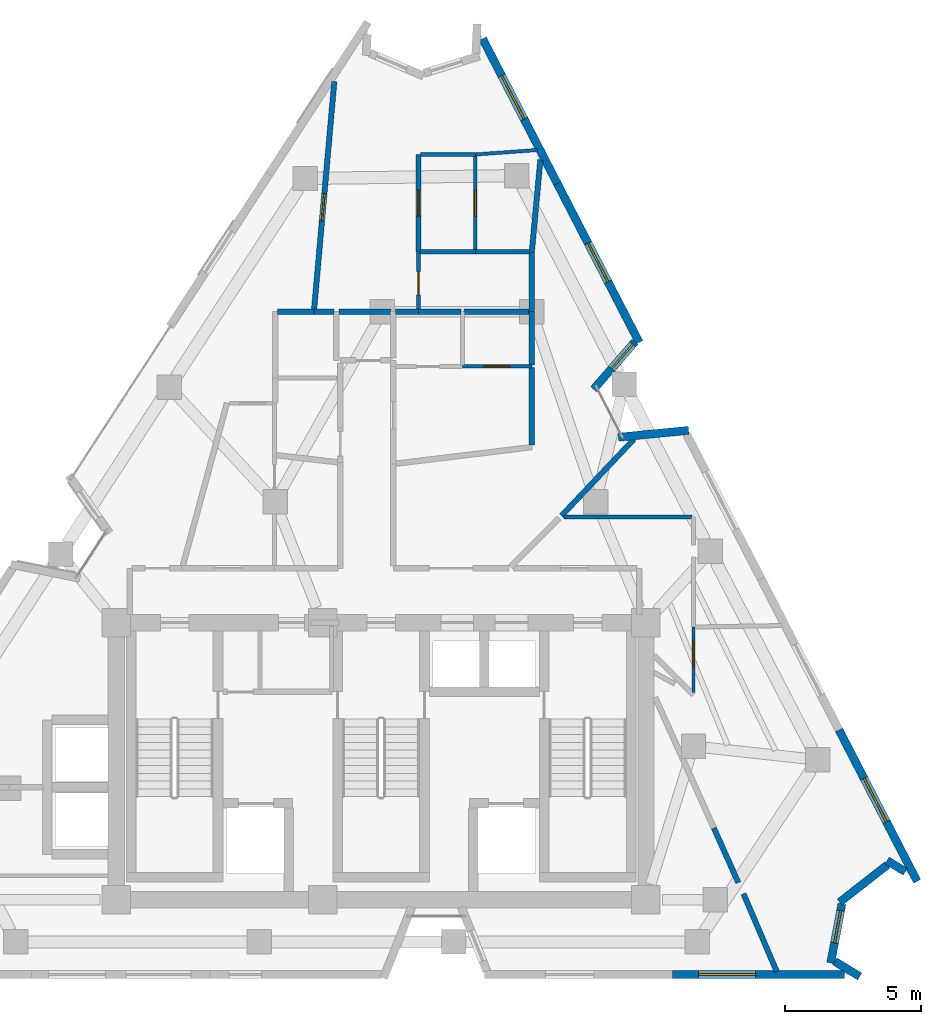
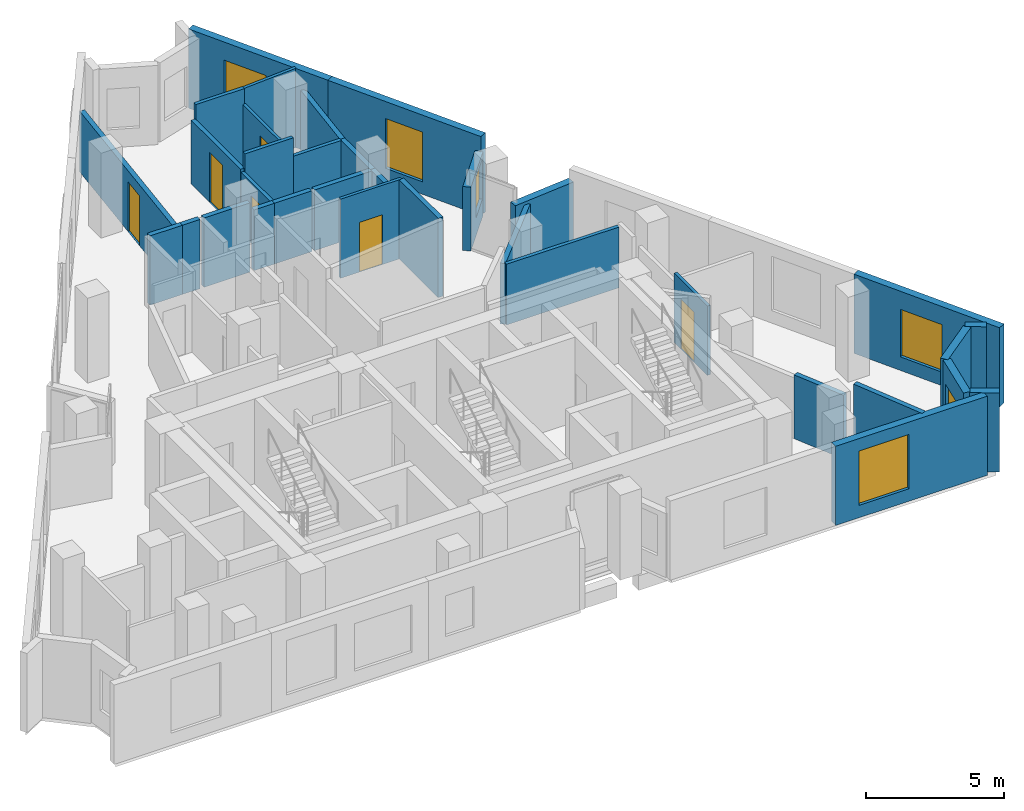
# One storey, part 7 of 9: 34 walls, 6 doors, 6 windows, 12 openings.
"""IFC4 building model written with IfcOpenShell, lengths in metres."""

from ifc_helpers import new_model, si_unit, direction, frame, frame_2d, origin, place, context, subcontext, project, spatial, rectangle, extrude, material, layer, layer_set, type_object, element, fill, save


model = new_model("IFC4")

# Units and contexts
model_context = context("Model", 3, precision=1e-05, world=origin(), true_north=direction((0.0, 1.0)))
body_context = subcontext(model_context, "Body", "Model", "MODEL_VIEW")
ifc_project = project(units=[si_unit("LENGTHUNIT", "METRE"), si_unit("AREAUNIT", "SQUARE_METRE"), si_unit("VOLUMEUNIT", "CUBIC_METRE"), si_unit("PLANEANGLEUNIT", "RADIAN"), si_unit("MASSUNIT", "GRAM", prefix="KILO")], contexts=[model_context])

# Site, building, storey
site_placement = place(None, origin())
site = spatial("IfcSite", under=ifc_project, at=site_placement, CompositionType="ELEMENT")
building_placement = place(site_placement, origin())
building = spatial("IfcBuilding", under=site, at=building_placement, Name="Almagre Mirador Tower", CompositionType="ELEMENT")
storey_placement = place(building_placement, frame((0.0, 0.0, 207.0)))
storey = spatial("IfcBuildingStorey", under=building, at=storey_placement, Name="L53", CompositionType="ELEMENT", Elevation=207.0)

# Wall, opening, window
ifc_material_1 = material(Name="Precast concrete C50/60", Category="concrete")
ifc_layer_1 = layer(ifc_material_1, 0.300048828125)
ifc_layer_set_1 = layer_set([ifc_layer_1], Name="Precast concrete C50/60")
wall_type_1 = type_object("IfcWallType", Name="WAL-EXT-300", PredefinedType="SOLIDWALL", material=ifc_layer_set_1)
wall_1_placement = place(storey_placement, frame((41.039306640625, 36.2451171875, 0.0), z_axis=(0.0, 0.0, 1.0), x_axis=(0.458292150172, -0.888801611773, 0.0)))
wall_1 = element("IfcWall", 1, at=wall_1_placement, inside=storey, type_object=wall_type_1, Name="L53 expressed almagre precast frame wall 09", PredefinedType="SOLIDWALL", context=body_context, shape_type="SweptSolid", body=[
    extrude(rectangle(XDim=5.9931640625, YDim=0.300048828125, at=frame_2d((2.99658203125, 0.0))), origin(), (0.0, 0.0, 1.0), 3.5),
])
opening_1_placement = place(wall_1_placement, frame((1.534912109375, 0.0, 0.60009765625)))
opening_1 = element("IfcOpeningElement", 2, at=opening_1_placement, cuts=wall_1, Name="Opening WN-01", PredefinedType="OPENING", context=body_context, shape_type="SweptSolid", body=[
    extrude(rectangle(XDim=1.800048828125, YDim=2.10009765625, at=frame_2d((0.89990234375, 1.050048828125))), frame((0.0, 0.159902, 0.0), z_axis=(0.0, -1.0, 0.0), x_axis=(1.0, 0.0, 0.0)), (0.0, 0.0, 1.0), 0.320049),
])
ifc_material_2 = material(Name="Dark solar-control laminated hurricane glass", Category="glass")
window_type_1 = type_object("IfcWindowType", Name="WIN-1800X2100", PartitioningType="DOUBLE_PANEL_VERTICAL", PredefinedType="WINDOW", material=ifc_material_2)
window_1_placement = place(opening_1_placement, origin())
window_1 = element("IfcWindow", 3, at=window_1_placement, inside=storey, type_object=window_type_1, Name="L53 recessed hurricane window L53-UL-ST", OverallHeight=2.10009765625, OverallWidth=1.800048828125, PartitioningType="SINGLE_PANEL", PredefinedType="WINDOW", context=body_context, shape_type="SweptSolid", body=[
    extrude(rectangle(XDim=1.800048828125, YDim=2.10009765625, at=frame_2d((0.89990234375, 1.050048828125))), frame((0.0, 0.030029296875, 0.0), z_axis=(0.0, -1.0, 0.0), x_axis=(1.0, 0.0, 0.0)), (0.0, 0.0, 1.0), 0.06005859375),
])
fill(opening_1, window_1)

wall_2_placement = place(storey_placement, frame((43.785888671875, 30.91845703125, 0.0), z_axis=(0.0, 0.0, 1.0), x_axis=(0.458349099599, -0.888772244671, 0.0)))
wall_2 = element("IfcWall", 4, at=wall_2_placement, inside=storey, type_object=wall_type_1, Name="L53 expressed almagre precast frame wall 10", PredefinedType="SOLIDWALL", context=body_context, shape_type="SweptSolid", body=[
    extrude(rectangle(XDim=6.5830078125, YDim=0.300048828125, at=frame_2d((3.29150390625, 0.0))), origin(), (0.0, 0.0, 1.0), 3.5),
])
opening_2_placement = place(wall_2_placement, frame((2.47509765625, 0.0, 0.550048828125)))
opening_2 = element("IfcOpeningElement", 5, at=opening_2_placement, cuts=wall_2, Name="Opening WN-06", PredefinedType="OPENING", context=body_context, shape_type="SweptSolid", body=[
    extrude(rectangle(XDim=1.60009765625, YDim=2.199951171875, at=frame_2d((0.800048828125, 1.10009765625))), frame((0.0, 0.159902, 0.0), z_axis=(0.0, -1.0, 0.0), x_axis=(1.0, 0.0, 0.0)), (0.0, 0.0, 1.0), 0.320049),
])
ifc_material_3 = material(Name="Dark solar-control laminated hurricane glass", Category="glass")
window_type_2 = type_object("IfcWindowType", Name="WIN-1600X2200", PartitioningType="DOUBLE_PANEL_VERTICAL", PredefinedType="WINDOW", material=ifc_material_3)
window_2_placement = place(opening_2_placement, origin())
window_2 = element("IfcWindow", 6, at=window_2_placement, inside=storey, type_object=window_type_2, Name="L53 recessed hurricane window L53-RST-K", OverallHeight=2.199951171875, OverallWidth=1.60009765625, PartitioningType="SINGLE_PANEL", PredefinedType="WINDOW", context=body_context, shape_type="SweptSolid", body=[
    extrude(rectangle(XDim=1.60009765625, YDim=2.199951171875, at=frame_2d((0.800048828125, 1.10009765625))), frame((0.0, 0.030029296875, 0.0), z_axis=(0.0, -1.0, 0.0), x_axis=(1.0, 0.0, 0.0)), (0.0, 0.0, 1.0), 0.06005859375),
])
fill(opening_2, window_2)

wall_3_placement = place(storey_placement, frame((46.647216796875, 25.08642578125, 0.0), z_axis=(0.0, 0.0, 1.0), x_axis=(-0.656860073981, -0.754012495394, 0.0)))
wall_3 = element("IfcWall", 7, at=wall_3_placement, inside=storey, type_object=wall_type_1, Name="L53 expressed almagre precast frame wall 11", PredefinedType="SOLIDWALL", context=body_context, shape_type="SweptSolid", body=[
    extrude(rectangle(XDim=2.314453125, YDim=0.300048828125, at=frame_2d((1.1572265625, 0.0))), origin(), (0.0, 0.0, 1.0), 2.824951171875),
])
opening_3_placement = place(wall_3_placement, frame((0.1201171875, 0.0, 0.800048828125)))
opening_3 = element("IfcOpeningElement", 8, at=opening_3_placement, cuts=wall_3, Name="Opening WN-04", PredefinedType="OPENING", context=body_context, shape_type="SweptSolid", body=[
    extrude(rectangle(XDim=1.199951171875, YDim=1.800048828125, at=frame_2d((0.60009765625, 0.89990234375))), frame((0.0, 0.159902, 0.0), z_axis=(0.0, -1.0, 0.0), x_axis=(1.0, 0.0, 0.0)), (0.0, 0.0, 1.0), 0.320049),
])
ifc_material_4 = material(Name="Dark solar-control laminated hurricane glass", Category="glass")
window_type_3 = type_object("IfcWindowType", Name="WIN-1200X1800", PartitioningType="SINGLE_PANEL", PredefinedType="WINDOW", material=ifc_material_4)
window_3_placement = place(opening_3_placement, origin())
window_3 = element("IfcWindow", 9, at=window_3_placement, inside=storey, type_object=window_type_3, Name="L53 recessed hurricane window L53-RST-K", OverallHeight=1.800048828125, OverallWidth=1.199951171875, PartitioningType="SINGLE_PANEL", PredefinedType="WINDOW", context=body_context, shape_type="SweptSolid", body=[
    extrude(rectangle(XDim=1.199951171875, YDim=1.800048828125, at=frame_2d((0.60009765625, 0.89990234375))), frame((0.0, 0.030029296875, 0.0), z_axis=(0.0, -1.0, 0.0), x_axis=(1.0, 0.0, 0.0)), (0.0, 0.0, 1.0), 0.06005859375),
])
fill(opening_3, window_3)

# Wall
wall_4_placement = place(storey_placement, frame((46.03759765625, 21.575439453125, 0.0), z_axis=(0.0, 0.0, 1.0), x_axis=(0.995262869225, 0.097220476965, 0.0)))
element("IfcWall", 10, at=wall_4_placement, inside=storey, type_object=wall_type_1, Name="L53 expressed almagre precast frame wall 12", PredefinedType="SOLIDWALL", context=body_context, shape_type="SweptSolid", body=[
    extrude(rectangle(XDim=2.593994140625, YDim=0.300048828125, at=frame_2d((1.296875, 0.0))), origin(), (0.0, 0.0, 1.0), 2.824951171875),
])

# Wall, opening, window
wall_5_placement = place(storey_placement, frame((54.159423828125, 10.7998046875, 0.0), z_axis=(0.0, 0.0, 1.0), x_axis=(0.458322317218, -0.888786056113, 0.0)))
wall_5 = element("IfcWall", 11, at=wall_5_placement, inside=storey, type_object=wall_type_1, Name="L53 expressed almagre precast frame wall 15", PredefinedType="SOLIDWALL", context=body_context, shape_type="SweptSolid", body=[
    extrude(rectangle(XDim=6.265869140625, YDim=0.300048828125, at=frame_2d((3.1328125, 0.0))), origin(), (0.0, 0.0, 1.0), 3.5),
])
opening_4_placement = place(wall_5_placement, frame((2.0, 0.0, 0.60009765625)))
opening_4 = element("IfcOpeningElement", 12, at=opening_4_placement, cuts=wall_5, Name="Opening WN-01", PredefinedType="OPENING", context=body_context, shape_type="SweptSolid", body=[
    extrude(rectangle(XDim=1.800048828125, YDim=2.10009765625, at=frame_2d((0.89990234375, 1.050048828125))), frame((0.0, 0.159902, 0.0), z_axis=(0.0, -1.0, 0.0), x_axis=(1.0, 0.0, 0.0)), (0.0, 0.0, 1.0), 0.320049),
])
window_4_placement = place(opening_4_placement, origin())
window_4 = element("IfcWindow", 13, at=window_4_placement, inside=storey, type_object=window_type_1, Name="L53 recessed hurricane window L53-UE-KT", OverallHeight=2.10009765625, OverallWidth=1.800048828125, PartitioningType="SINGLE_PANEL", PredefinedType="WINDOW", context=body_context, shape_type="SweptSolid", body=[
    extrude(rectangle(XDim=1.800048828125, YDim=2.10009765625, at=frame_2d((0.89990234375, 1.050048828125))), frame((0.0, 0.030029296875, 0.0), z_axis=(0.0, -1.0, 0.0), x_axis=(1.0, 0.0, 0.0)), (0.0, 0.0, 1.0), 0.06005859375),
])
fill(opening_4, window_4)

# Walls
wall_6_placement = place(storey_placement, frame((56.595458984375, 5.581298828125, 0.0), z_axis=(0.0, 0.0, 1.0), x_axis=(-0.853681479387, 0.520795479772, 0.0)))
element("IfcWall", 14, at=wall_6_placement, inside=storey, type_object=wall_type_1, Name="L53 expressed almagre precast frame wall 16", PredefinedType="SOLIDWALL", context=body_context, shape_type="SweptSolid", body=[
    extrude(rectangle(XDim=0.78466796875, YDim=0.300048828125, at=frame_2d((0.392333984375, 0.0))), origin(), (0.0, 0.0, 1.0), 3.5),
])
wall_7_placement = place(storey_placement, frame((55.938720703125, 5.833984375, 0.0), z_axis=(0.0, 0.0, 1.0), x_axis=(-0.788331324268, -0.615250943256, 0.0)))
element("IfcWall", 15, at=wall_7_placement, inside=storey, type_object=wall_type_1, Name="L53 expressed almagre precast frame wall 17", PredefinedType="SOLIDWALL", context=body_context, shape_type="SweptSolid", body=[
    extrude(rectangle(XDim=2.22998046875, YDim=0.300048828125, at=frame_2d((1.114990234375, 0.0))), origin(), (0.0, 0.0, 1.0), 3.5),
])

# Wall, opening, window
wall_8_placement = place(storey_placement, frame((54.26318359375, 4.400634765625, 0.0), z_axis=(0.0, 0.0, 1.0), x_axis=(-0.185632792315, -0.982619186876, 0.0)))
wall_8 = element("IfcWall", 16, at=wall_8_placement, inside=storey, type_object=wall_type_1, Name="L53 expressed almagre precast frame wall 18", PredefinedType="SOLIDWALL", context=body_context, shape_type="SweptSolid", body=[
    extrude(rectangle(XDim=2.21484375, YDim=0.300048828125, at=frame_2d((1.107421875, 0.0))), origin(), (0.0, 0.0, 1.0), 3.5),
])
opening_5_placement = place(wall_8_placement, frame((0.260009765625, 0.0, 0.800048828125)))
opening_5 = element("IfcOpeningElement", 17, at=opening_5_placement, cuts=wall_8, Name="Opening WN-04", PredefinedType="OPENING", context=body_context, shape_type="SweptSolid", body=[
    extrude(rectangle(XDim=1.199951171875, YDim=1.800048828125, at=frame_2d((0.60009765625, 0.89990234375))), frame((0.0, 0.159902, 0.0), z_axis=(0.0, -1.0, 0.0), x_axis=(1.0, 0.0, 0.0)), (0.0, 0.0, 1.0), 0.320049),
])
window_5_placement = place(opening_5_placement, origin())
window_5 = element("IfcWindow", 18, at=window_5_placement, inside=storey, type_object=window_type_3, Name="L53 recessed hurricane window L53-RST-C", OverallHeight=1.800048828125, OverallWidth=1.199951171875, PartitioningType="SINGLE_PANEL", PredefinedType="WINDOW", context=body_context, shape_type="SweptSolid", body=[
    extrude(rectangle(XDim=1.199951171875, YDim=1.800048828125, at=frame_2d((0.60009765625, 0.89990234375))), frame((0.0, 0.030029296875, 0.0), z_axis=(0.0, -1.0, 0.0), x_axis=(1.0, 0.0, 0.0)), (0.0, 0.0, 1.0), 0.06005859375),
])
fill(opening_5, window_5)

# Wall
wall_9_placement = place(storey_placement, frame((53.99755859375, 2.2890625, 0.0), z_axis=(0.0, 0.0, 1.0), x_axis=(0.853840299064, -0.520535055203, 0.0)))
element("IfcWall", 19, at=wall_9_placement, inside=storey, type_object=wall_type_1, Name="L53 expressed almagre precast frame wall 19", PredefinedType="SOLIDWALL", context=body_context, shape_type="SweptSolid", body=[
    extrude(rectangle(XDim=1.07958984375, YDim=0.300048828125, at=frame_2d((0.539794921875, 0.0))), origin(), (0.0, 0.0, 1.0), 3.5),
])

# Wall, opening, window
wall_10_placement = place(storey_placement, frame((54.360107421875, 1.800048828125, 0.0), z_axis=(0.0, 0.0, 1.0), x_axis=(-1.0, 0.0, 0.0)))
wall_10 = element("IfcWall", 20, at=wall_10_placement, inside=storey, type_object=wall_type_1, Name="L53 expressed almagre precast frame wall 20", PredefinedType="SOLIDWALL", context=body_context, shape_type="SweptSolid", body=[
    extrude(rectangle(XDim=6.338134765625, YDim=0.300048828125, at=frame_2d((3.1689453125, 0.0))), origin(), (0.0, 0.0, 1.0), 3.5),
])
opening_6_placement = place(wall_10_placement, frame((3.27001953125, 0.0, 0.550048828125)))
opening_6 = element("IfcOpeningElement", 21, at=opening_6_placement, cuts=wall_10, Name="Opening WN-05", PredefinedType="OPENING", context=body_context, shape_type="SweptSolid", body=[
    extrude(rectangle(XDim=2.10009765625, YDim=2.39990234375, at=frame_2d((1.050048828125, 1.199951171875))), frame((0.0, 0.159902, 0.0), z_axis=(0.0, -1.0, 0.0), x_axis=(1.0, 0.0, 0.0)), (0.0, 0.0, 1.0), 0.320049),
])
ifc_material_5 = material(Name="Dark solar-control laminated hurricane glass", Category="glass")
window_type_4 = type_object("IfcWindowType", Name="WIN-2100X2400", PartitioningType="DOUBLE_PANEL_VERTICAL", PredefinedType="WINDOW", material=ifc_material_5)
window_6_placement = place(opening_6_placement, origin())
window_6 = element("IfcWindow", 22, at=window_6_placement, inside=storey, type_object=window_type_4, Name="L53 recessed hurricane window L53-UB-ST", OverallHeight=2.39990234375, OverallWidth=2.10009765625, PartitioningType="SINGLE_PANEL", PredefinedType="WINDOW", context=body_context, shape_type="SweptSolid", body=[
    extrude(rectangle(XDim=2.10009765625, YDim=2.39990234375, at=frame_2d((1.050048828125, 1.199951171875))), frame((0.0, 0.030029296875, 0.0), z_axis=(0.0, -1.0, 0.0), x_axis=(1.0, 0.0, 0.0)), (0.0, 0.0, 1.0), 0.06005859375),
])
fill(opening_6, window_6)

# Wall, opening, door
ifc_material_6 = material(Name="Gypsum acoustic stud partition", Category="other")
ifc_layer_2 = layer(ifc_material_6, 0.125)
ifc_layer_set_2 = layer_set([ifc_layer_2], Name="Gypsum acoustic stud partition")
wall_type_2 = type_object("IfcWallType", Name="WAL-PRT-125-UTL", PredefinedType="PARTITIONING", material=ifc_layer_set_2)
wall_11_placement = place(storey_placement, frame((48.800048828125, 12.175048828125, 0.0), z_axis=(0.0, 0.0, 1.0), x_axis=(0.0, 1.0, 0.0)))
wall_11 = element("IfcWall", 23, at=wall_11_placement, inside=storey, type_object=wall_type_2, Name="L53 interior partition 036", PredefinedType="PARTITIONING", context=body_context, shape_type="SweptSolid", body=[
    extrude(rectangle(XDim=2.4150390625, YDim=0.125, at=frame_2d((1.20751953125, 0.0))), origin(), (0.0, 0.0, 1.0), 3.06103515625),
])
opening_7_placement = place(wall_11_placement, frame((0.978515625, 0.0, 0.0)))
opening_7 = element("IfcOpeningElement", 24, at=opening_7_placement, cuts=wall_11, Name="Opening UD-01", PredefinedType="OPENING", context=body_context, shape_type="SweptSolid", body=[
    extrude(rectangle(XDim=0.949951171875, YDim=2.199951171875, at=frame_2d((0.47509765625, 1.10009765625))), frame((0.0, 0.0725, 0.0), z_axis=(0.0, -1.0, 0.0), x_axis=(1.0, 0.0, 0.0)), (0.0, 0.0, 1.0), 0.145),
])
ifc_material_7 = material(Name="Solid American walnut timber", Category="wood")
door_type_1 = type_object("IfcDoorType", Name="DOR-UNR-950X2200", OperationType="NOTDEFINED", PredefinedType="DOOR", material=ifc_material_7)
door_1_placement = place(opening_7_placement, origin())
door_1 = element("IfcDoor", 25, at=door_1_placement, inside=storey, type_object=door_type_1, Name="DR-1650 L53 interior door L53-UE-ST to L53-UE-KT", OperationType="SINGLE_SWING_RIGHT", OverallHeight=2.199951171875, OverallWidth=0.949951171875, PredefinedType="DOOR", context=body_context, shape_type="SweptSolid", body=[
    extrude(rectangle(XDim=0.949951171875, YDim=2.199951171875, at=frame_2d((0.47509765625, 1.10009765625))), frame((0.0, 0.02490234375, 0.0), z_axis=(0.0, -1.0, 0.0), x_axis=(1.0, 0.0, 0.0)), (0.0, 0.0, 1.0), 0.050048828125),
])
fill(opening_7, door_1)

wall_12_placement = place(storey_placement, frame((42.85009765625, 24.179931640625, 0.0), z_axis=(0.0, 0.0, 1.0), x_axis=(-1.0, 0.0, 0.0)))
wall_12 = element("IfcWall", 26, at=wall_12_placement, inside=storey, type_object=wall_type_2, Name="L53 interior partition 059", PredefinedType="PARTITIONING", context=body_context, shape_type="SweptSolid", body=[
    extrude(rectangle(XDim=2.550048828125, YDim=0.125, at=frame_2d((1.27490234375, 0.0))), origin(), (0.0, 0.0, 1.0), 3.5),
])
opening_8_placement = place(wall_12_placement, frame((0.800048828125, 0.0, 0.0)))
opening_8 = element("IfcOpeningElement", 27, at=opening_8_placement, cuts=wall_12, Name="Opening UD-01", PredefinedType="OPENING", context=body_context, shape_type="SweptSolid", body=[
    extrude(rectangle(XDim=0.949951171875, YDim=2.199951171875, at=frame_2d((0.47509765625, 1.10009765625))), frame((0.0, 0.0725, 0.0), z_axis=(0.0, -1.0, 0.0), x_axis=(1.0, 0.0, 0.0)), (0.0, 0.0, 1.0), 0.145),
])
door_2_placement = place(opening_8_placement, origin())
door_2 = element("IfcDoor", 28, at=door_2_placement, inside=storey, type_object=door_type_1, Name="DR-1656 L53 interior door L53-UJ-ST to L53-UJ-KT", OperationType="SINGLE_SWING_LEFT", OverallHeight=2.199951171875, OverallWidth=0.949951171875, PredefinedType="DOOR", context=body_context, shape_type="SweptSolid", body=[
    extrude(rectangle(XDim=0.949951171875, YDim=2.199951171875, at=frame_2d((0.47509765625, 1.10009765625))), frame((0.0, 0.02490234375, 0.0), z_axis=(0.0, -1.0, 0.0), x_axis=(1.0, 0.0, 0.0)), (0.0, 0.0, 1.0), 0.050048828125),
])
fill(opening_8, door_2)

# Wall
wall_13_placement = place(storey_placement, frame((40.77001953125, 31.97998046875, 0.0), z_axis=(0.0, 0.0, 1.0), x_axis=(0.997397150256, 0.072103568984, 0.0)))
element("IfcWall", 29, at=wall_13_placement, inside=storey, type_object=wall_type_2, Name="L53 interior partition 071", PredefinedType="PARTITIONING", context=body_context, shape_type="SweptSolid", body=[
    extrude(rectangle(XDim=2.288818359375, YDim=0.125, at=frame_2d((1.14453125, 0.0))), origin(), (0.0, 0.0, 1.0), 3.5),
])

# Wall, opening, door
wall_14_placement = place(storey_placement, frame((40.77001953125, 31.9326171875, 0.0), z_axis=(0.0, 0.0, 1.0), x_axis=(0.0, -1.0, 0.0)))
wall_14 = element("IfcWall", 30, at=wall_14_placement, inside=storey, type_object=wall_type_2, Name="L53 interior partition 076", PredefinedType="PARTITIONING", context=body_context, shape_type="SweptSolid", body=[
    extrude(rectangle(XDim=3.47265625, YDim=0.125, at=frame_2d((1.736328125, 0.0))), origin(), (0.0, 0.0, 1.0), 2.820068359375),
])
opening_9_placement = place(wall_14_placement, frame((1.267578125, 0.0, 0.0)))
opening_9 = element("IfcOpeningElement", 31, at=opening_9_placement, cuts=wall_14, Name="Opening UD-01", PredefinedType="OPENING", context=body_context, shape_type="SweptSolid", body=[
    extrude(rectangle(XDim=0.949951171875, YDim=2.199951171875, at=frame_2d((0.47509765625, 1.10009765625))), frame((0.0, 0.0725, 0.0), z_axis=(0.0, -1.0, 0.0), x_axis=(1.0, 0.0, 0.0)), (0.0, 0.0, 1.0), 0.145),
])
door_3_placement = place(opening_9_placement, origin())
door_3 = element("IfcDoor", 32, at=door_3_placement, inside=storey, type_object=door_type_1, Name="DR-1658 L53 interior door L53-UL-KT to L53-UL-ST1", OperationType="SINGLE_SWING_RIGHT", OverallHeight=2.199951171875, OverallWidth=0.949951171875, PredefinedType="DOOR", context=body_context, shape_type="SweptSolid", body=[
    extrude(rectangle(XDim=0.949951171875, YDim=2.199951171875, at=frame_2d((0.47509765625, 1.10009765625))), frame((0.0, 0.02490234375, 0.0), z_axis=(0.0, -1.0, 0.0), x_axis=(1.0, 0.0, 0.0)), (0.0, 0.0, 1.0), 0.050048828125),
])
fill(opening_9, door_3)

# Wall
ifc_material_8 = material(Name="Gypsum acoustic stud partition", Category="other")
ifc_layer_3 = layer(ifc_material_8, 0.14990234375)
ifc_layer_set_3 = layer_set([ifc_layer_3], Name="Gypsum acoustic stud partition")
wall_type_3 = type_object("IfcWallType", Name="WAL-PRT-150-STD", PredefinedType="PARTITIONING", material=ifc_layer_set_3)
wall_15_placement = place(storey_placement, frame((48.739990234375, 18.639892578125, 0.0), z_axis=(0.0, 0.0, 1.0), x_axis=(-1.0, 0.0, 0.0)))
element("IfcWall", 33, at=wall_15_placement, inside=storey, type_object=wall_type_3, Name="L53 interior partition 038", PredefinedType="PARTITIONING", context=body_context, shape_type="SweptSolid", body=[
    extrude(rectangle(XDim=4.705078125, YDim=0.14990234375, at=frame_2d((2.3525390625, 0.0))), origin(), (0.0, 0.0, 1.0), 2.68505859375),
])

# Wall, opening, door
wall_16_placement = place(storey_placement, frame((38.679931640625, 26.284912109375, 0.0), z_axis=(0.0, 0.0, 1.0), x_axis=(0.0, 1.0, 0.0)))
wall_16 = element("IfcWall", 34, at=wall_16_placement, inside=storey, type_object=wall_type_3, Name="L53 interior partition 070", PredefinedType="PARTITIONING", context=body_context, shape_type="SweptSolid", body=[
    extrude(rectangle(XDim=2.114990234375, YDim=0.14990234375, at=frame_2d((1.0576171875, 0.0))), origin(), (0.0, 0.0, 1.0), 2.68505859375),
])
opening_10_placement = place(wall_16_placement, frame((0.530517578125, 0.0, 0.0)))
opening_10 = element("IfcOpeningElement", 35, at=opening_10_placement, cuts=wall_16, Name="Opening UD-04", PredefinedType="OPENING", context=body_context, shape_type="SweptSolid", body=[
    extrude(rectangle(XDim=0.85009765625, YDim=2.10009765625, at=frame_2d((0.425048828125, 1.050048828125))), frame((0.0, 0.084951, 0.0), z_axis=(0.0, -1.0, 0.0), x_axis=(1.0, 0.0, 0.0)), (0.0, 0.0, 1.0), 0.169902),
])
ifc_material_9 = material(Name="Moisture-resistant oak timber", Category="wood")
door_type_2 = type_object("IfcDoorType", Name="DOR-UNR-850X2100", OperationType="NOTDEFINED", PredefinedType="DOOR", material=ifc_material_9)
door_4_placement = place(opening_10_placement, origin())
door_4 = element("IfcDoor", 36, at=door_4_placement, inside=storey, type_object=door_type_2, Name="DR-1660 L53 interior door L53-UL-ST to L53-UL-HB", OperationType="SINGLE_SWING_RIGHT", OverallHeight=2.10009765625, OverallWidth=0.85009765625, PredefinedType="DOOR", context=body_context, shape_type="SweptSolid", body=[
    extrude(rectangle(XDim=0.85009765625, YDim=2.10009765625, at=frame_2d((0.425048828125, 1.050048828125))), frame((0.0, 0.02490234375, 0.0), z_axis=(0.0, -1.0, 0.0), x_axis=(1.0, 0.0, 0.0)), (0.0, 0.0, 1.0), 0.050048828125),
])
fill(opening_10, door_4)

# Walls
wall_17_placement = place(storey_placement, frame((38.75244140625, 31.97998046875, 0.0), z_axis=(0.0, 0.0, 1.0), x_axis=(1.0, 0.0, 0.0)))
element("IfcWall", 37, at=wall_17_placement, inside=storey, type_object=wall_type_3, Name="L53 interior partition 073", PredefinedType="PARTITIONING", context=body_context, shape_type="SweptSolid", body=[
    extrude(rectangle(XDim=2.017578125, YDim=0.14990234375, at=frame_2d((1.0087890625, 0.0))), origin(), (0.0, 0.0, 1.0), 3.5),
])
wall_18_placement = place(storey_placement, frame((42.764892578125, 28.39990234375, 0.0), z_axis=(0.0, 0.0, 1.0), x_axis=(-1.0, 0.0, 0.0)))
element("IfcWall", 38, at=wall_18_placement, inside=storey, type_object=wall_type_3, Name="L53 interior partition 074", PredefinedType="PARTITIONING", context=body_context, shape_type="SweptSolid", body=[
    extrude(rectangle(XDim=1.994873046875, YDim=0.14990234375, at=frame_2d((0.99755859375, 0.0))), origin(), (0.0, 0.0, 1.0), 2.68505859375),
])
wall_19_placement = place(storey_placement, frame((40.77001953125, 28.39990234375, 0.0), z_axis=(0.0, 0.0, 1.0), x_axis=(-1.0, 0.0, 0.0)))
element("IfcWall", 39, at=wall_19_placement, inside=storey, type_object=wall_type_3, Name="L53 interior partition 075", PredefinedType="PARTITIONING", context=body_context, shape_type="SweptSolid", body=[
    extrude(rectangle(XDim=2.030029296875, YDim=0.14990234375, at=frame_2d((1.01513671875, 0.0))), origin(), (0.0, 0.0, 1.0), 3.5),
])

# Wall, opening, door
ifc_material_10 = material(Name="Gypsum acoustic stud partition", Category="other")
ifc_layer_4 = layer(ifc_material_10, 0.175048828125)
ifc_layer_set_4 = layer_set([ifc_layer_4], Name="Gypsum acoustic stud partition")
wall_type_4 = type_object("IfcWallType", Name="WAL-PRT-175-AC", PredefinedType="PARTITIONING", material=ifc_layer_set_4)
wall_20_placement = place(storey_placement, frame((38.679931640625, 28.39990234375, 0.0), z_axis=(0.0, 0.0, 1.0), x_axis=(0.0, 1.0, 0.0)))
wall_20 = element("IfcWall", 40, at=wall_20_placement, inside=storey, type_object=wall_type_4, Name="L53 interior partition 072", PredefinedType="PARTITIONING", context=body_context, shape_type="SweptSolid", body=[
    extrude(rectangle(XDim=3.580078125, YDim=0.175048828125, at=frame_2d((1.7900390625, 0.0))), origin(), (0.0, 0.0, 1.0), 2.820068359375),
])
opening_11_placement = place(wall_20_placement, frame((1.31494140625, 0.0, 0.0)))
opening_11 = element("IfcOpeningElement", 41, at=opening_11_placement, cuts=wall_20, Name="Opening UD-01", PredefinedType="OPENING", context=body_context, shape_type="SweptSolid", body=[
    extrude(rectangle(XDim=0.949951171875, YDim=2.199951171875, at=frame_2d((0.47509765625, 1.10009765625))), frame((0.0, 0.097402, 0.0), z_axis=(0.0, -1.0, 0.0), x_axis=(1.0, 0.0, 0.0)), (0.0, 0.0, 1.0), 0.195049),
])
door_5_placement = place(opening_11_placement, origin())
door_5 = element("IfcDoor", 42, at=door_5_placement, inside=storey, type_object=door_type_1, Name="DR-1659 L53 interior door L53-UL-ST to L53-UL-ST1", OperationType="SINGLE_SWING_LEFT", OverallHeight=2.199951171875, OverallWidth=0.949951171875, PredefinedType="DOOR", context=body_context, shape_type="SweptSolid", body=[
    extrude(rectangle(XDim=0.949951171875, YDim=2.199951171875, at=frame_2d((0.47509765625, 1.10009765625))), frame((0.0, 0.02490234375, 0.0), z_axis=(0.0, -1.0, 0.0), x_axis=(1.0, 0.0, 0.0)), (0.0, 0.0, 1.0), 0.050048828125),
])
fill(opening_11, door_5)

# Walls
ifc_material_11 = material(Name="Gypsum acoustic stud partition", Category="other")
ifc_layer_5 = layer(ifc_material_11, 0.199951171875)
ifc_layer_set_5 = layer_set([ifc_layer_5], Name="Gypsum acoustic stud partition")
wall_type_5 = type_object("IfcWallType", Name="WAL-PRT-200-EI60", PredefinedType="PARTITIONING", material=ifc_layer_set_5)
wall_21_placement = place(storey_placement, frame((50.449951171875, 5.179931640625, 0.0), z_axis=(0.0, 0.0, 1.0), x_axis=(-0.408626143047, 0.912701854506, 0.0)))
element("IfcWall", 43, at=wall_21_placement, inside=storey, type_object=wall_type_5, Name="L53 interior partition 026", PredefinedType="PARTITIONING", context=body_context, shape_type="SweptSolid", body=[
    extrude(rectangle(XDim=2.2021484375, YDim=0.199951171875, at=frame_2d((1.10107421875, 0.0))), origin(), (0.0, 0.0, 1.0), 2.820068359375),
])
wall_22_placement = place(storey_placement, frame((51.860107421875, 1.91796875, 0.0), z_axis=(0.0, 0.0, 1.0), x_axis=(-0.393349316575, 0.919389098886, 0.0)))
element("IfcWall", 44, at=wall_22_placement, inside=storey, type_object=wall_type_5, Name="L53 interior partition 027", PredefinedType="PARTITIONING", context=body_context, shape_type="SweptSolid", body=[
    extrude(rectangle(XDim=3.10205078125, YDim=0.199951171875, at=frame_2d((1.551025390625, 0.0))), origin(), (0.0, 0.0, 1.0), 3.5),
])
wall_23_placement = place(storey_placement, frame((46.60400390625, 21.498046875, 0.0), z_axis=(0.0, 0.0, 1.0), x_axis=(-0.687141431113, -0.72652367728, 0.0)))
element("IfcWall", 45, at=wall_23_placement, inside=storey, type_object=wall_type_5, Name="L53 interior partition 042", PredefinedType="PARTITIONING", context=body_context, shape_type="SweptSolid", body=[
    extrude(rectangle(XDim=3.87451171875, YDim=0.199951171875, at=frame_2d((1.937255859375, 0.0))), origin(), (0.0, 0.0, 1.0), 2.68505859375),
])
wall_24_placement = place(storey_placement, frame((33.485107421875, 26.199951171875, 0.0), z_axis=(0.0, 0.0, 1.0), x_axis=(1.0, 0.0, 0.0)))
element("IfcWall", 46, at=wall_24_placement, inside=storey, type_object=wall_type_5, Name="L53 interior partition 051", PredefinedType="PARTITIONING", context=body_context, shape_type="SweptSolid", body=[
    extrude(rectangle(XDim=1.344970703125, YDim=0.199951171875, at=frame_2d((0.67236328125, 0.0))), origin(), (0.0, 0.0, 1.0), 3.06103515625),
])

# Wall, opening, door
wall_25_placement = place(storey_placement, frame((34.837890625, 26.28466796875, 0.0), z_axis=(0.0, 0.0, 1.0), x_axis=(0.088352923437, 0.996089233412, 0.0)))
wall_25 = element("IfcWall", 47, at=wall_25_placement, inside=storey, type_object=wall_type_5, Name="L53 interior partition 052", PredefinedType="PARTITIONING", context=body_context, shape_type="SweptSolid", body=[
    extrude(rectangle(XDim=8.411376953125, YDim=0.199951171875, at=frame_2d((4.20556640625, 0.0))), origin(), (0.0, 0.0, 1.0), 2.68505859375),
])
opening_12_placement = place(wall_25_placement, frame((3.263671875, 0.0, 0.0)))
opening_12 = element("IfcOpeningElement", 48, at=opening_12_placement, cuts=wall_25, Name="Opening ID-01", PredefinedType="OPENING", context=body_context, shape_type="SweptSolid", body=[
    extrude(rectangle(XDim=1.0, YDim=2.199951171875, at=frame_2d((0.5, 1.10009765625))), frame((0.0, 0.110098, 0.0), z_axis=(0.0, -1.0, 0.0), x_axis=(1.0, 0.0, 0.0)), (0.0, 0.0, 1.0), 0.219951),
])
ifc_material_12 = material(Name="Fire-rated walnut timber", Category="wood")
door_type_3 = type_object("IfcDoorType", Name="DOR-FD60-1000X2200", OperationType="NOTDEFINED", PredefinedType="DOOR", material=ifc_material_12)
door_6_placement = place(opening_12_placement, origin())
door_6 = element("IfcDoor", 49, at=door_6_placement, inside=storey, type_object=door_type_3, Name="DR-1661 L53 interior door L53-UG-KT to L53-UL-ST", OperationType="SINGLE_SWING_LEFT", OverallHeight=2.199951171875, OverallWidth=1.0, PredefinedType="DOOR", context=body_context, shape_type="SweptSolid", body=[
    extrude(rectangle(XDim=1.0, YDim=2.199951171875, at=frame_2d((0.5, 1.10009765625))), frame((0.0, 0.02490234375, 0.0), z_axis=(0.0, -1.0, 0.0), x_axis=(1.0, 0.0, 0.0)), (0.0, 0.0, 1.0), 0.050048828125),
])
fill(opening_12, door_6)

# Walls
wall_26_placement = place(storey_placement, frame((37.6650390625, 26.199951171875, 0.0), z_axis=(0.0, 0.0, 1.0), x_axis=(-1.0, 0.0, 0.0)))
element("IfcWall", 50, at=wall_26_placement, inside=storey, type_object=wall_type_5, Name="L53 interior partition 056", PredefinedType="PARTITIONING", context=body_context, shape_type="SweptSolid", body=[
    extrude(rectangle(XDim=1.919921875, YDim=0.199951171875, at=frame_2d((0.9599609375, 0.0))), origin(), (0.0, 0.0, 1.0), 3.06103515625),
])
wall_27_placement = place(storey_placement, frame((35.574951171875, 26.199951171875, 0.0), z_axis=(0.0, 0.0, 1.0), x_axis=(-1.0, 0.0, 0.0)))
element("IfcWall", 51, at=wall_27_placement, inside=storey, type_object=wall_type_5, Name="L53 interior partition 058", PredefinedType="PARTITIONING", context=body_context, shape_type="SweptSolid", body=[
    extrude(rectangle(XDim=0.744873046875, YDim=0.199951171875, at=frame_2d((0.37255859375, 0.0))), origin(), (0.0, 0.0, 1.0), 3.06103515625),
])
wall_28_placement = place(storey_placement, frame((42.85009765625, 21.294921875, 0.0), z_axis=(0.0, 0.0, 1.0), x_axis=(0.0, 1.0, 0.0)))
element("IfcWall", 52, at=wall_28_placement, inside=storey, type_object=wall_type_5, Name="L53 interior partition 062", PredefinedType="PARTITIONING", context=body_context, shape_type="SweptSolid", body=[
    extrude(rectangle(XDim=2.837646484375, YDim=0.199951171875, at=frame_2d((1.4189453125, 0.0))), origin(), (0.0, 0.0, 1.0), 3.5),
])
wall_29_placement = place(storey_placement, frame((42.85009765625, 24.2275390625, 0.0), z_axis=(0.0, 0.0, 1.0), x_axis=(0.0, 1.0, 0.0)))
element("IfcWall", 53, at=wall_29_placement, inside=storey, type_object=wall_type_5, Name="L53 interior partition 064", PredefinedType="PARTITIONING", context=body_context, shape_type="SweptSolid", body=[
    extrude(rectangle(XDim=1.972412109375, YDim=0.199951171875, at=frame_2d((0.986328125, 0.0))), origin(), (0.0, 0.0, 1.0), 2.68505859375),
])
wall_30_placement = place(storey_placement, frame((42.764892578125, 26.199951171875, 0.0), z_axis=(0.0, 0.0, 1.0), x_axis=(-1.0, 0.0, 0.0)))
element("IfcWall", 54, at=wall_30_placement, inside=storey, type_object=wall_type_5, Name="L53 interior partition 065", PredefinedType="PARTITIONING", context=body_context, shape_type="SweptSolid", body=[
    extrude(rectangle(XDim=2.40478515625, YDim=0.199951171875, at=frame_2d((1.202392578125, 0.0))), origin(), (0.0, 0.0, 1.0), 2.68505859375),
])
wall_31_placement = place(storey_placement, frame((38.679931640625, 26.199951171875, 0.0), z_axis=(0.0, 0.0, 1.0), x_axis=(-1.0, 0.0, 0.0)))
element("IfcWall", 55, at=wall_31_placement, inside=storey, type_object=wall_type_5, Name="L53 interior partition 066", PredefinedType="PARTITIONING", context=body_context, shape_type="SweptSolid", body=[
    extrude(rectangle(XDim=0.844970703125, YDim=0.199951171875, at=frame_2d((0.42236328125, 0.0))), origin(), (0.0, 0.0, 1.0), 2.68505859375),
])
wall_32_placement = place(storey_placement, frame((40.239990234375, 26.199951171875, 0.0), z_axis=(0.0, 0.0, 1.0), x_axis=(-1.0, 0.0, 0.0)))
element("IfcWall", 56, at=wall_32_placement, inside=storey, type_object=wall_type_5, Name="L53 interior partition 067", PredefinedType="PARTITIONING", context=body_context, shape_type="SweptSolid", body=[
    extrude(rectangle(XDim=1.56005859375, YDim=0.199951171875, at=frame_2d((0.780029296875, 0.0))), origin(), (0.0, 0.0, 1.0), 2.68505859375),
])
wall_33_placement = place(storey_placement, frame((42.85009765625, 28.39990234375, 0.0), z_axis=(0.0, 0.0, 1.0), x_axis=(0.0, -1.0, 0.0)))
element("IfcWall", 57, at=wall_33_placement, inside=storey, type_object=wall_type_5, Name="L53 interior partition 068", PredefinedType="PARTITIONING", context=body_context, shape_type="SweptSolid", body=[
    extrude(rectangle(XDim=2.199951171875, YDim=0.199951171875, at=frame_2d((1.10009765625, 0.0))), origin(), (0.0, 0.0, 1.0), 2.68505859375),
])
wall_34_placement = place(storey_placement, frame((43.1640625, 31.784912109375, 0.0), z_axis=(0.0, 0.0, 1.0), x_axis=(-0.092355124874, -0.995726132483, 0.0)))
element("IfcWall", 58, at=wall_34_placement, inside=storey, type_object=wall_type_5, Name="L53 interior partition 069", PredefinedType="PARTITIONING", context=body_context, shape_type="SweptSolid", body=[
    extrude(rectangle(XDim=3.399658203125, YDim=0.199951171875, at=frame_2d((1.69970703125, 0.0))), origin(), (0.0, 0.0, 1.0), 2.68505859375),
])

save(model, "model.ifc")
